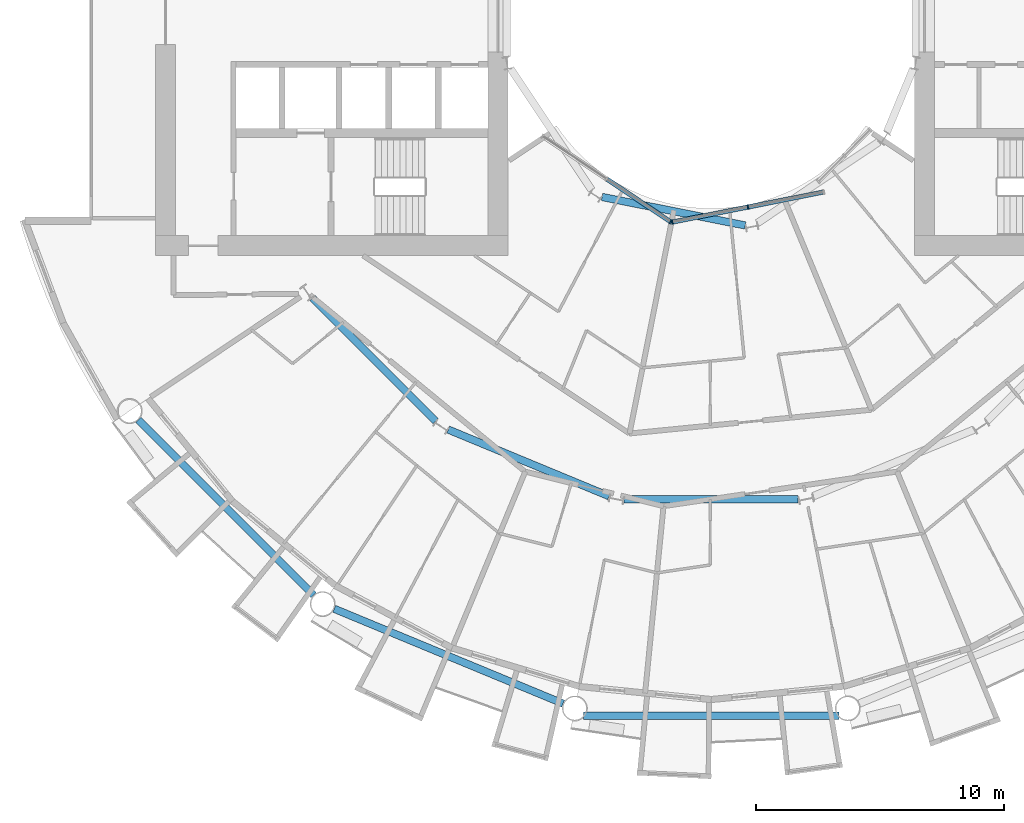
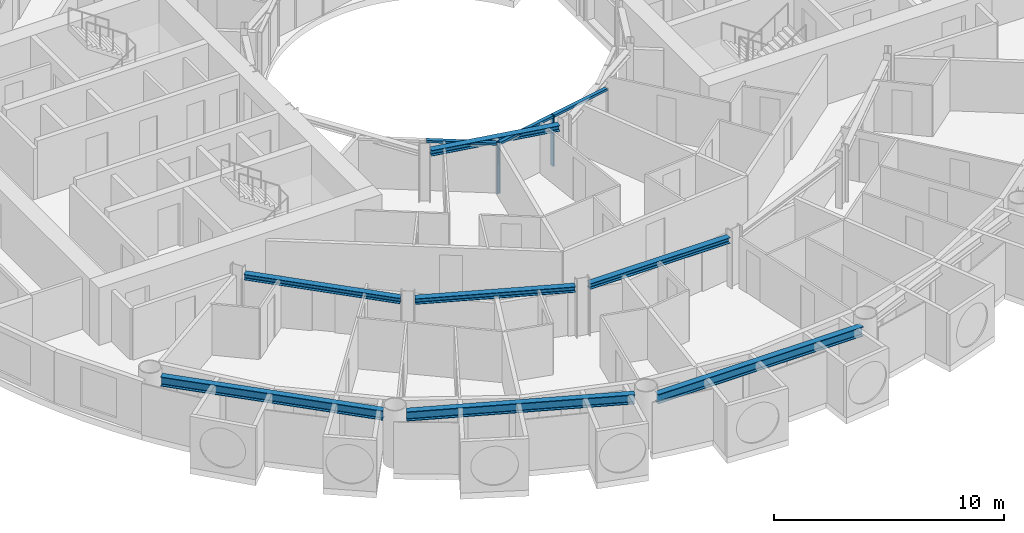
# One storey, part 4 of 26: 7 beams, 6 members, 2 elements without a shape of their own.
"""IFC4 building model written with IfcOpenShell, lengths in metres."""

from ifc_helpers import new_model, si_unit, direction, frame, origin, origin_2d, place, context, subcontext, project, spatial, rectangle, i_section, extrude, material, layer, layer_set, material_profile, profile_set, type_object, element, aggregate, save


model = new_model("IFC4")

# Units and contexts
model_context = context("Model", 3, precision=1e-05, world=origin(), true_north=direction((0.0, 1.0)))
body_context = subcontext(model_context, "Body", "Model", "MODEL_VIEW")
ifc_project = project(units=[si_unit("LENGTHUNIT", "METRE"), si_unit("AREAUNIT", "SQUARE_METRE"), si_unit("VOLUMEUNIT", "CUBIC_METRE"), si_unit("PLANEANGLEUNIT", "RADIAN"), si_unit("MASSUNIT", "GRAM", prefix="KILO")], contexts=[model_context])

# Site, building, storey
site_placement = place(None, origin())
site = spatial("IfcSite", under=ifc_project, at=site_placement, CompositionType="ELEMENT")
building_placement = place(site_placement, origin())
building = spatial("IfcBuilding", under=site, at=building_placement, Name="Maasbend Ring Residences", CompositionType="ELEMENT")
storey_placement = place(building_placement, frame((0.0, 0.0, 38.050048828125)))
storey = spatial("IfcBuildingStorey", under=building, at=storey_placement, Name="L10", CompositionType="ELEMENT", Elevation=38.050048828125)

# Curtain wall, member
ifc_material_1 = material(Name="Aluminium and clear glass", Category="aluminium")
ifc_layer = layer(ifc_material_1, 0.179931640625)
ifc_layer_set = layer_set([ifc_layer], Name="CW-W")
curtain_wall_type = type_object("IfcCurtainWallType", Name="CW-W", PredefinedType="NOTDEFINED", material=ifc_layer_set)
curtain_wall_1_placement = place(storey_placement, origin())
curtain_wall_1 = element("IfcCurtainWall", 1, at=curtain_wall_1_placement, inside=storey, type_object=curtain_wall_type, Name="Well curtain wall S1", PredefinedType="NOTDEFINED")
ifc_material_2 = material(Name="Aluminium 6063-T6", Category="aluminium")
ifc_material_profile_1 = material_profile(ifc_material_2, rectangle(XDim=0.179931640625, YDim=0.06005859375, at=origin_2d()), Name="AL 180x60")
ifc_profile_set_1 = profile_set([ifc_material_profile_1], Name="Aluminium 6063-T6")
member_type_1 = type_object("IfcMemberType", Name="CWM-W", PredefinedType="MULLION", material=ifc_profile_set_1)
member_1_placement = place(storey_placement, frame((-1.627685546875, -8.040771484375, 0.0), z_axis=(0.0, 0.0, 1.0), x_axis=(0.55557023302, 0.831469612303, 0.0)))
member_1 = element("IfcMember", 2, at=member_1_placement, type_object=member_type_1, Name="Mullion well face", PredefinedType="MULLION", context=body_context, shape_type="SweptSolid", body=[
    extrude(rectangle(XDim=0.179931640625, YDim=0.06005859375, at=origin_2d()), origin(), (0.0, 0.0, 1.0), 2.699951171875),
])

# Curtain wall, members
curtain_wall_2_placement = place(storey_placement, origin())
curtain_wall_2 = element("IfcCurtainWall", 3, at=curtain_wall_2_placement, inside=storey, type_object=curtain_wall_type, Name="Well curtain wall S2", PredefinedType="NOTDEFINED")
member_2_placement = place(storey_placement, frame((-1.5732421875, -8.0517578125, 0.0), z_axis=(0.0, 0.0, 1.0), x_axis=(-0.195090322016, 0.980785280403, 0.0)))
member_2 = element("IfcMember", 4, at=member_2_placement, type_object=member_type_1, Name="Mullion well face", PredefinedType="MULLION", context=body_context, shape_type="SweptSolid", body=[
    extrude(rectangle(XDim=0.179931640625, YDim=0.06005859375, at=origin_2d()), origin(), (0.0, 0.0, 1.0), 2.699951171875),
])
member_3_placement = place(storey_placement, frame((1.480712890625, -7.444091796875, 0.0), z_axis=(0.0, 0.0, 1.0), x_axis=(-0.195090322016, 0.980785280403, 0.0)))
member_3 = element("IfcMember", 5, at=member_3_placement, type_object=member_type_1, Name="Mullion well face", PredefinedType="MULLION", context=body_context, shape_type="SweptSolid", body=[
    extrude(rectangle(XDim=0.179931640625, YDim=0.06005859375, at=origin_2d()), origin(), (0.0, 0.0, 1.0), 2.699951171875),
])

# Member
ifc_material_3 = material(Name="Aluminium 6063-T6", Category="aluminium")
ifc_material_profile_2 = material_profile(ifc_material_3, rectangle(XDim=0.179931640625, YDim=0.1201171875, at=origin_2d()), Name="AL 180x120")
ifc_profile_set_2 = profile_set([ifc_material_profile_2], Name="Aluminium 6063-T6")
member_type_2 = type_object("IfcMemberType", Name="CWT-W", PredefinedType="USERDEFINED", material=ifc_profile_set_2)
member_4_placement = place(storey_placement, frame((-4.19189453125, -6.32763671875, 2.639892578125), z_axis=(0.831496422459, -0.555530106689, 0.0), x_axis=(0.555530106689, 0.831496422459, 0.0)))
member_4 = element("IfcMember", 6, at=member_4_placement, type_object=member_type_2, Name="Transom well face", ObjectType="TRANSOM", PredefinedType="USERDEFINED", context=body_context, shape_type="SweptSolid", body=[
    extrude(rectangle(XDim=0.179931640625, YDim=0.1201171875, at=origin_2d()), origin(), (0.0, 0.0, 1.0), 3.053955078125),
])

aggregate(curtain_wall_1, [member_1, member_4])

member_5_placement = place(storey_placement, frame((-1.5439453125, -8.0458984375, 2.639892578125), z_axis=(0.980776956105, 0.195132166424, 0.0), x_axis=(-0.195132166424, 0.980776956105, 0.0)))
member_5 = element("IfcMember", 7, at=member_5_placement, type_object=member_type_2, Name="Transom well face", ObjectType="TRANSOM", PredefinedType="USERDEFINED", context=body_context, shape_type="SweptSolid", body=[
    extrude(rectangle(XDim=0.179931640625, YDim=0.1201171875, at=origin_2d()), origin(), (0.0, 0.0, 1.0), 3.053955078125),
])

member_6_placement = place(storey_placement, frame((1.51025390625, -7.438232421875, 2.639892578125), z_axis=(0.980789210404, 0.19507056353, 0.0), x_axis=(-0.19507056353, 0.980789210404, 0.0)))
member_6 = element("IfcMember", 8, at=member_6_placement, type_object=member_type_2, Name="Transom well face", ObjectType="TRANSOM", PredefinedType="USERDEFINED", context=body_context, shape_type="SweptSolid", body=[
    extrude(rectangle(XDim=0.179931640625, YDim=0.1201171875, at=origin_2d()), origin(), (0.0, 0.0, 1.0), 3.0537109375),
])

aggregate(curtain_wall_2, [member_2, member_3, member_5, member_6])

# Beams
ifc_material_4 = material(Name="Steel S355J2", Category="steel")
ifc_material_profile_3 = material_profile(ifc_material_4, i_section(OverallWidth=0.300048828125, OverallDepth=0.300048828125, WebThickness=0.010986328125, FlangeThickness=0.01904296875, FilletRadius=0.027099609375, at=origin_2d()), Name="HEB 300")
ifc_profile_set_3 = profile_set([ifc_material_profile_3], Name="Steel S355J2")
beam_type_1 = type_object("IfcBeamType", Name="Corridor ring beam HEB 300", PredefinedType="BEAM", material=ifc_profile_set_3)
beam_1_placement = place(storey_placement, frame((-16.0732421875, -11.11279296875, 2.550048828125), z_axis=(0.707106781187, -0.707106781187, 0.0), x_axis=(0.707106781187, 0.707106781187, 0.0)))
element("IfcBeam", 9, at=beam_1_placement, inside=storey, type_object=beam_type_1, Name="Corridor ring beam", PredefinedType="BEAM", context=body_context, shape_type="SweptSolid", body=[
    extrude(i_section(OverallWidth=0.300048828125, OverallDepth=0.300048828125, WebThickness=0.010986328125, FlangeThickness=0.01904296875, FilletRadius=0.027099609375, at=origin_2d()), origin(), (0.0, 0.0, 1.0), 7.01513671875),
])
beam_2_placement = place(storey_placement, frame((-10.59716796875, -16.417724609375, 2.550048828125), z_axis=(0.923886196809, -0.38266734293, 0.0), x_axis=(0.38266734293, 0.923886196809, 0.0)))
element("IfcBeam", 10, at=beam_2_placement, inside=storey, type_object=beam_type_1, Name="Corridor ring beam", PredefinedType="BEAM", context=body_context, shape_type="SweptSolid", body=[
    extrude(i_section(OverallWidth=0.300048828125, OverallDepth=0.300048828125, WebThickness=0.010986328125, FlangeThickness=0.01904296875, FilletRadius=0.027099609375, at=origin_2d()), origin(), (0.0, 0.0, 1.0), 7.015380859375),
])
beam_3_placement = place(storey_placement, frame((-3.5078125, -19.223388671875, 2.550048828125), z_axis=(1.0, 0.0, 0.0), x_axis=(0.0, 1.0, 0.0)))
element("IfcBeam", 11, at=beam_3_placement, inside=storey, type_object=beam_type_1, Name="Corridor ring beam", PredefinedType="BEAM", context=body_context, shape_type="SweptSolid", body=[
    extrude(i_section(OverallWidth=0.300048828125, OverallDepth=0.300048828125, WebThickness=0.010986328125, FlangeThickness=0.01904296875, FilletRadius=0.027099609375, at=origin_2d()), origin(), (0.0, 0.0, 1.0), 7.015625),
])
ifc_material_5 = material(Name="Steel S355J2", Category="steel")
ifc_material_profile_4 = material_profile(ifc_material_5, i_section(OverallWidth=0.300048828125, OverallDepth=0.5, WebThickness=0.014404296875, FlangeThickness=0.028076171875, FilletRadius=0.027099609375, at=origin_2d()), Name="HEB 500")
ifc_profile_set_4 = profile_set([ifc_material_profile_4], Name="Steel S355J2")
beam_type_2 = type_object("IfcBeamType", Name="Spandrel ring beam HEB 500", PredefinedType="SPANDREL", material=ifc_profile_set_4)
beam_4_placement = place(storey_placement, frame((-23.088134765625, -16.0263671875, 2.449951171875), z_axis=(0.707106781187, -0.707106781187, 0.0), x_axis=(0.707106781187, 0.707106781187, 0.0)))
element("IfcBeam", 12, at=beam_4_placement, inside=storey, type_object=beam_type_2, Name="Spandrel ring beam", PredefinedType="SPANDREL", context=body_context, shape_type="SweptSolid", body=[
    extrude(i_section(OverallWidth=0.300048828125, OverallDepth=0.5, WebThickness=0.014404296875, FlangeThickness=0.028076171875, FilletRadius=0.027099609375, at=origin_2d()), origin(), (0.0, 0.0, 1.0), 9.98681640625),
])
beam_5_placement = place(storey_placement, frame((-15.19775390625, -23.641845703125, 2.449951171875), z_axis=(0.923886337442, -0.382667003395, 0.0), x_axis=(0.382667003395, 0.923886337442, 0.0)))
element("IfcBeam", 13, at=beam_5_placement, inside=storey, type_object=beam_type_2, Name="Spandrel ring beam", PredefinedType="SPANDREL", context=body_context, shape_type="SweptSolid", body=[
    extrude(i_section(OverallWidth=0.300048828125, OverallDepth=0.5, WebThickness=0.014404296875, FlangeThickness=0.028076171875, FilletRadius=0.027099609375, at=origin_2d()), origin(), (0.0, 0.0, 1.0), 9.9873046875),
])
beam_6_placement = place(storey_placement, frame((-5.1435546875, -27.9580078125, 2.449951171875), z_axis=(1.0, 0.0, 0.0), x_axis=(0.0, 1.0, 0.0)))
element("IfcBeam", 14, at=beam_6_placement, inside=storey, type_object=beam_type_2, Name="Spandrel ring beam", PredefinedType="SPANDREL", context=body_context, shape_type="SweptSolid", body=[
    extrude(i_section(OverallWidth=0.300048828125, OverallDepth=0.5, WebThickness=0.014404296875, FlangeThickness=0.028076171875, FilletRadius=0.027099609375, at=origin_2d()), origin(), (0.0, 0.0, 1.0), 10.287109375),
])
ifc_material_6 = material(Name="Steel S355J2", Category="steel")
ifc_material_profile_5 = material_profile(ifc_material_6, i_section(OverallWidth=0.300048828125, OverallDepth=0.300048828125, WebThickness=0.010986328125, FlangeThickness=0.01904296875, FilletRadius=0.027099609375, at=origin_2d()), Name="HEB 300")
ifc_profile_set_5 = profile_set([ifc_material_profile_5], Name="Steel S355J2")
beam_type_3 = type_object("IfcBeamType", Name="Well edge beam HEB 300", PredefinedType="BEAM", material=ifc_profile_set_5)
beam_7_placement = place(storey_placement, frame((-4.4013671875, -7.037109375, 2.550048828125), z_axis=(0.980784282486, -0.195095338819, 0.0), x_axis=(0.195095338819, 0.980784282486, 0.0)))
element("IfcBeam", 15, at=beam_7_placement, inside=storey, type_object=beam_type_3, Name="Well edge beam", PredefinedType="BEAM", context=body_context, shape_type="SweptSolid", body=[
    extrude(i_section(OverallWidth=0.300048828125, OverallDepth=0.300048828125, WebThickness=0.010986328125, FlangeThickness=0.01904296875, FilletRadius=0.027099609375, at=origin_2d()), origin(), (0.0, 0.0, 1.0), 5.8876953125),
])

save(model, "model.ifc")
